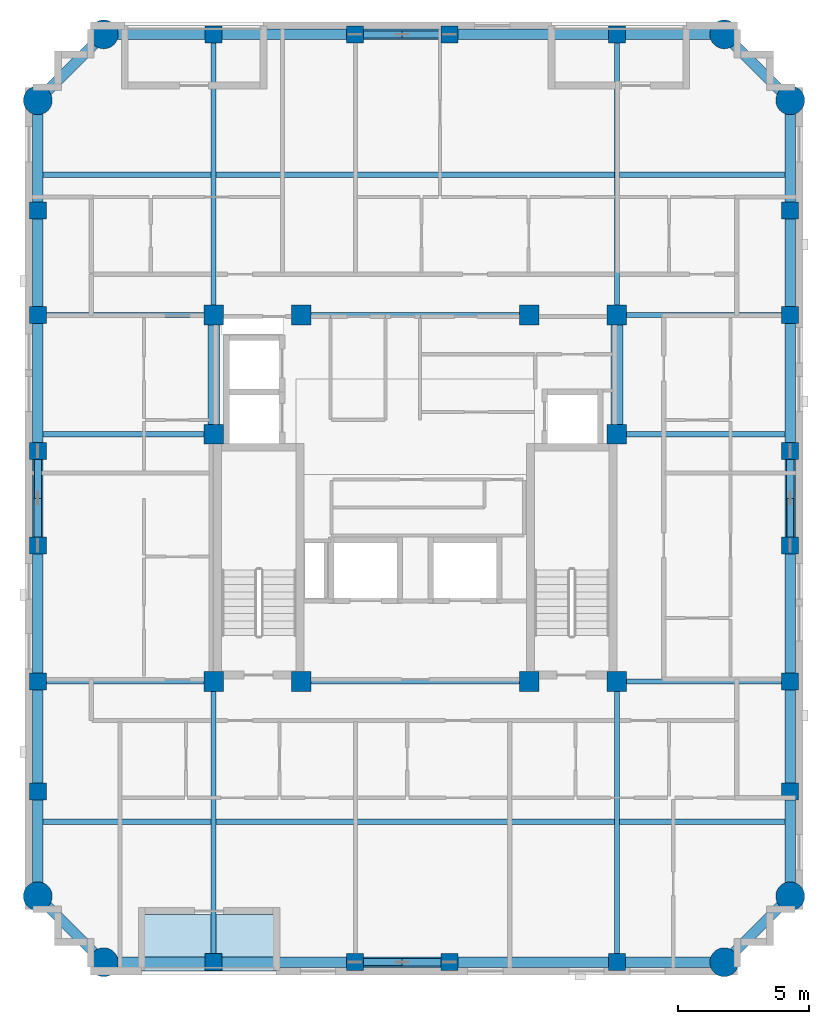
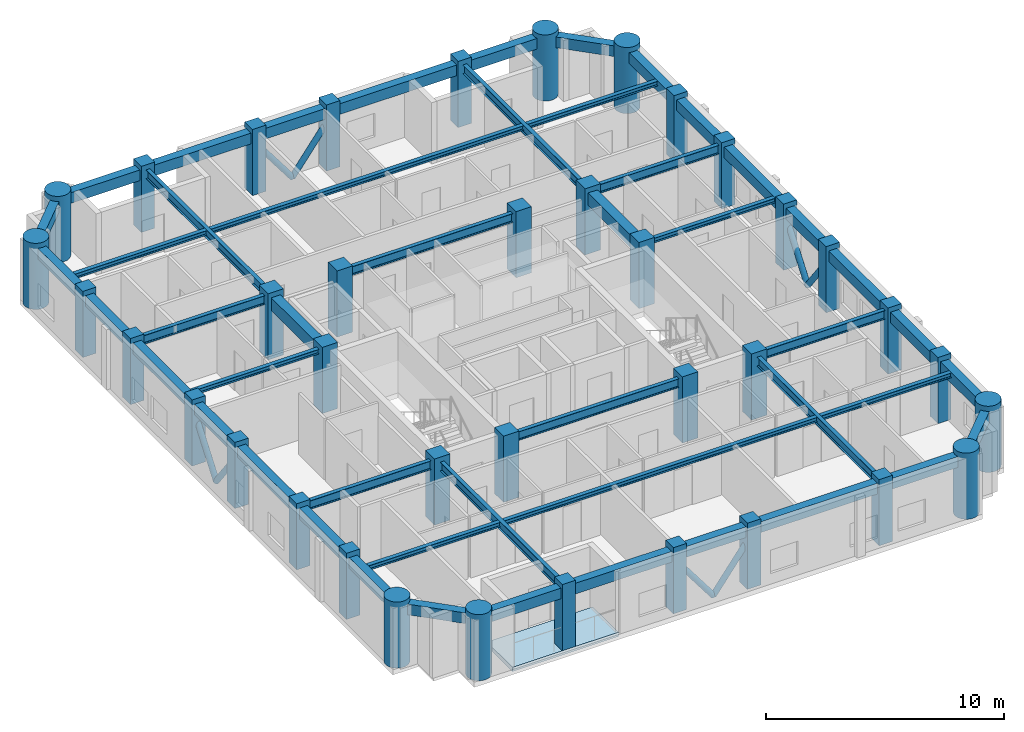
# One storey, part 1 of 10: 48 beams, 38 columns, 8 members, 1 slab.
"""IFC4 building model written with IfcOpenShell, lengths in metres."""

from ifc_helpers import new_model, si_unit, derived_unit, direction, frame, origin, origin_2d, place, context, subcontext, project, spatial, polyline, rectangle, circle, hollow_circle, i_section, outline, extrude, material, layer, layer_set, material_profile, profile_set, type_object, element, save


model = new_model("IFC4")

# Units and contexts
model_context = context("Model", 3, precision=1e-05, world=origin(), true_north=direction((0.0, 1.0)))
body_context = subcontext(model_context, "Body", "Model", "MODEL_VIEW")
ifc_project = project(units=[si_unit("LENGTHUNIT", "METRE"), si_unit("AREAUNIT", "SQUARE_METRE"), si_unit("VOLUMEUNIT", "CUBIC_METRE"), si_unit("PLANEANGLEUNIT", "RADIAN"), si_unit("MASSUNIT", "GRAM", prefix="KILO"), derived_unit("THERMALTRANSMITTANCEUNIT", [(si_unit("MASSUNIT", "GRAM", prefix="KILO"), 1), (si_unit("TIMEUNIT", "SECOND"), -3), (si_unit("THERMODYNAMICTEMPERATUREUNIT", "KELVIN"), -1)])], contexts=[model_context])

# Site, building, storey
site_placement = place(None, origin())
site = spatial("IfcSite", under=ifc_project, at=site_placement, CompositionType="ELEMENT")
building_placement = place(site_placement, origin())
building = spatial("IfcBuilding", under=site, at=building_placement, Name="Korrvale Station Residences", CompositionType="ELEMENT")
storey_placement = place(building_placement, frame((0.0, 0.0, 237.699951171875)))
storey = spatial("IfcBuildingStorey", under=building, at=storey_placement, Name="L69", CompositionType="ELEMENT", Elevation=237.699951171875)

# Columns
ifc_material_1 = material(Name="Concrete C50/60", Category="concrete")
ifc_material_profile_1 = material_profile(ifc_material_1, rectangle(XDim=0.64990234375, YDim=0.64990234375, at=origin_2d()), Name="RC650x650")
ifc_profile_set_1 = profile_set([ifc_material_profile_1], Name="Concrete C50/60")
column_type_1 = type_object("IfcColumnType", Name="COL-C-RC650x650-C5060", PredefinedType="COLUMN", material=ifc_profile_set_1)
for number, where, z_axis, x_axis, name in (
    (1, (17.800048828125, 4.280029296875, 0.0), (0.0, 0.0, 1.0), (1.0, 0.0, 0.0), "L69 Bundled-Tube South Column 02"),
    (2, (23.199951171875, 4.280029296875, 0.0), (0.0, 0.0, 1.0), (1.0, 0.0, 0.0), "L69 Bundled-Tube South Column 03"),
    (3, (26.800048828125, 4.280029296875, 0.0), (0.0, 0.0, 1.0), (1.0, 0.0, 0.0), "L69 Bundled-Tube South Column 04"),
    (4, (33.199951171875, 4.280029296875, 0.0), (0.0, 0.0, 1.0), (1.0, 0.0, 0.0), "L69 Bundled-Tube South Column 05"),
    (5, (17.800048828125, 39.719970703125, 0.0), (0.0, 0.0, 1.0), (1.0, 0.0, 0.0), "L69 Bundled-Tube North Column 08"),
    (6, (23.199951171875, 39.719970703125, 0.0), (0.0, 0.0, 1.0), (1.0, 0.0, 0.0), "L69 Bundled-Tube North Column 09"),
    (7, (26.800048828125, 39.719970703125, 0.0), (0.0, 0.0, 1.0), (1.0, 0.0, 0.0), "L69 Bundled-Tube North Column 10"),
    (8, (33.199951171875, 39.719970703125, 0.0), (0.0, 0.0, 1.0), (1.0, 0.0, 0.0), "L69 Bundled-Tube North Column 11"),
    (9, (11.080078125, 10.800048828125, 0.0), (0.0, 0.0, 1.0), (1.0, 0.0, 0.0), "L69 Bundled-Tube West Column 14"),
    (10, (11.080078125, 15.0, 0.0), (0.0, 0.0, 1.0), (1.0, 0.0, 0.0), "L69 Bundled-Tube West Column 15"),
    (11, (11.080078125, 20.199951171875, 0.0), (0.0, 0.0, 1.0), (1.0, 0.0, 0.0), "L69 Bundled-Tube West Column 16"),
    (12, (11.080078125, 23.800048828125, 0.0), (0.0, 0.0, 1.0), (1.0, 0.0, 0.0), "L69 Bundled-Tube West Column 17"),
    (13, (11.080078125, 29.0, 0.0), (0.0, 0.0, 1.0), (1.0, 0.0, 0.0), "L69 Bundled-Tube West Column 18"),
    (14, (11.080078125, 33.0, 0.0), (0.0, 0.0, 1.0), (1.0, 0.0, 0.0), "L69 Bundled-Tube West Column 19"),
    (15, (39.820068359375, 10.800048828125, 0.0), (0.0, 0.0, 1.0), (1.0, 0.0, 0.0), "L69 Bundled-Tube East Column 22"),
    (16, (39.820068359375, 15.0, 0.0), (0.0, 0.0, 1.0), (1.0, 0.0, 0.0), "L69 Bundled-Tube East Column 23"),
    (17, (39.820068359375, 20.199951171875, 0.0), (0.0, 0.0, 1.0), (1.0, 0.0, 0.0), "L69 Bundled-Tube East Column 24"),
    (18, (39.820068359375, 23.800048828125, 0.0), (0.0, 0.0, 1.0), (1.0, 0.0, 0.0), "L69 Bundled-Tube East Column 25"),
    (19, (39.820068359375, 29.0, 0.0), (0.0, 0.0, 1.0), (1.0, 0.0, 0.0), "L69 Bundled-Tube East Column 26"),
    (20, (39.820068359375, 33.0, 0.0), (0.0, 0.0, 1.0), (1.0, 0.0, 0.0), "L69 Bundled-Tube East Column 27"),
):
    element("IfcColumn", number, at=place(storey_placement, frame(where, z_axis=z_axis, x_axis=x_axis)), inside=storey, type_object=column_type_1, Name=name, PredefinedType="COLUMN", context=body_context, shape_type="SweptSolid", body=[
        extrude(rectangle(XDim=0.64990234375, YDim=0.64990234375, at=origin_2d()), origin(), (0.0, 0.0, 1.0), 3.400146484375),
    ])
ifc_material_profile_2 = material_profile(ifc_material_1, rectangle(XDim=0.75, YDim=0.75, at=origin_2d()), Name="RC750x750")
ifc_profile_set_2 = profile_set([ifc_material_profile_2], Name="Concrete C50/60")
column_type_2 = type_object("IfcColumnType", Name="COL-C-RC750x750-C5060", PredefinedType="COLUMN", material=ifc_profile_set_2)
for number, where, z_axis, x_axis, name in (
    (21, (17.800048828125, 15.0, 0.0), (0.0, 0.0, 1.0), (1.0, 0.0, 0.0), "L69 Core Column 01"),
    (22, (21.14990234375, 15.0, 0.0), (0.0, 0.0, 1.0), (1.0, 0.0, 0.0), "L69 Core Column 02"),
    (23, (29.85009765625, 15.0, 0.0), (0.0, 0.0, 1.0), (1.0, 0.0, 0.0), "L69 Core Column 03"),
    (24, (33.199951171875, 15.0, 0.0), (0.0, 0.0, 1.0), (1.0, 0.0, 0.0), "L69 Core Column 04"),
    (25, (17.800048828125, 29.0, 0.0), (0.0, 0.0, 1.0), (1.0, 0.0, 0.0), "L69 Core Column 05"),
    (26, (21.14990234375, 29.0, 0.0), (0.0, 0.0, 1.0), (1.0, 0.0, 0.0), "L69 Core Column 06"),
    (27, (29.85009765625, 29.0, 0.0), (0.0, 0.0, 1.0), (1.0, 0.0, 0.0), "L69 Core Column 07"),
    (28, (33.199951171875, 29.0, 0.0), (0.0, 0.0, 1.0), (1.0, 0.0, 0.0), "L69 Core Column 08"),
    (29, (17.800048828125, 24.449951171875, 0.0), (0.0, 0.0, 1.0), (1.0, 0.0, 0.0), "L69 Core Column 09"),
    (30, (33.199951171875, 24.449951171875, 0.0), (0.0, 0.0, 1.0), (1.0, 0.0, 0.0), "L69 Core Column 10"),
):
    element("IfcColumn", number, at=place(storey_placement, frame(where, z_axis=z_axis, x_axis=x_axis)), inside=storey, type_object=column_type_2, Name=name, PredefinedType="COLUMN", context=body_context, shape_type="SweptSolid", body=[
        extrude(rectangle(XDim=0.75, YDim=0.75, at=origin_2d()), origin(), (0.0, 0.0, 1.0), 3.400146484375),
    ])
ifc_material_profile_3 = material_profile(ifc_material_1, circle(Radius=0.550048828125, at=origin_2d()), Name="RCC1100")
ifc_profile_set_3 = profile_set([ifc_material_profile_3], Name="Concrete C50/60")
column_type_3 = type_object("IfcColumnType", Name="COL-C-RCC1100-C5060", PredefinedType="COLUMN", material=ifc_profile_set_3)
for number, where, z_axis, x_axis, name in (
    (31, (13.60009765625, 4.280029296875, 0.0), (0.0, 0.0, 1.0), (1.0, 0.0, 0.0), "L69 Bundled-Tube South Column 01"),
    (32, (37.300048828125, 4.280029296875, 0.0), (0.0, 0.0, 1.0), (1.0, 0.0, 0.0), "L69 Bundled-Tube South Column 06"),
    (33, (13.60009765625, 39.719970703125, 0.0), (0.0, 0.0, 1.0), (1.0, 0.0, 0.0), "L69 Bundled-Tube North Column 07"),
    (34, (37.300048828125, 39.719970703125, 0.0), (0.0, 0.0, 1.0), (1.0, 0.0, 0.0), "L69 Bundled-Tube North Column 12"),
    (35, (11.080078125, 6.800048828125, 0.0), (0.0, 0.0, 1.0), (1.0, 0.0, 0.0), "L69 Bundled-Tube West Column 13"),
    (36, (11.080078125, 37.199951171875, 0.0), (0.0, 0.0, 1.0), (1.0, 0.0, 0.0), "L69 Bundled-Tube West Column 20"),
    (37, (39.820068359375, 6.800048828125, 0.0), (0.0, 0.0, 1.0), (1.0, 0.0, 0.0), "L69 Bundled-Tube East Column 21"),
    (38, (39.820068359375, 37.199951171875, 0.0), (0.0, 0.0, 1.0), (1.0, 0.0, 0.0), "L69 Bundled-Tube East Column 28"),
):
    element("IfcColumn", number, at=place(storey_placement, frame(where, z_axis=z_axis, x_axis=x_axis)), inside=storey, type_object=column_type_3, Name=name, PredefinedType="COLUMN", context=body_context, shape_type="SweptSolid", body=[
        extrude(circle(Radius=0.550048828125, at=origin_2d()), origin(), (0.0, 0.0, 1.0), 3.400146484375),
    ])

# Beams
ifc_material_2 = material(Name="Steel S355", Category="steel")
ifc_material_profile_4 = material_profile(ifc_material_2, i_section(OverallWidth=0.18994140625, OverallDepth=0.45703125, WebThickness=0.009033203125, FlangeThickness=0.014404296875, FilletRadius=0.01611328125, at=origin_2d()), Name="W460x74")
ifc_profile_set_4 = profile_set([ifc_material_profile_4], Name="Steel S355")
beam_type_1 = type_object("IfcBeamType", Name="BM-BM-W460x74-S355", PredefinedType="BEAM", material=ifc_profile_set_4)
for number, where, z_axis, x_axis, name in (
    (39, (17.800048828125, 4.280029296875, 2.91162109375), (0.0, 1.0, 0.0), (-1.0, 0.0, 0.0), "L69 Bundled-Tube Web Girder 01"),
    (40, (33.199951171875, 4.280029296875, 2.91162109375), (0.0, 1.0, 0.0), (-1.0, 0.0, 0.0), "L69 Bundled-Tube Web Girder 02"),
    (41, (17.800048828125, 29.0, 2.91162109375), (0.0, 1.0, 0.0), (-1.0, 0.0, 0.0), "L69 Bundled-Tube Web Girder 03"),
    (42, (33.199951171875, 29.0, 2.91162109375), (0.0, 1.0, 0.0), (-1.0, 0.0, 0.0), "L69 Bundled-Tube Web Girder 04"),
):
    element("IfcBeam", number, at=place(storey_placement, frame(where, z_axis=z_axis, x_axis=x_axis)), inside=storey, type_object=beam_type_1, Name=name, PredefinedType="BEAM", context=body_context, shape_type="SweptSolid", body=[
        extrude(i_section(OverallWidth=0.18994140625, OverallDepth=0.45703125, WebThickness=0.009033203125, FlangeThickness=0.014404296875, FilletRadius=0.01611328125, at=origin_2d()), origin(), (0.0, 0.0, 1.0), 10.719970703125),
    ])
beam_1_placement = place(storey_placement, frame((11.080078125, 15.0, 2.91162109375), z_axis=(1.0, 0.0, 0.0), x_axis=(0.0, 1.0, 0.0)))
element("IfcBeam", 43, at=beam_1_placement, inside=storey, type_object=beam_type_1, Name="L69 Bundled-Tube Web Girder 05", PredefinedType="BEAM", context=body_context, shape_type="SweptSolid", body=[
    extrude(i_section(OverallWidth=0.18994140625, OverallDepth=0.45703125, WebThickness=0.009033203125, FlangeThickness=0.014404296875, FilletRadius=0.01611328125, at=origin_2d()), origin(), (0.0, 0.0, 1.0), 6.719970703125),
])
beam_2_placement = place(storey_placement, frame((33.199951171875, 15.0, 2.91162109375), z_axis=(1.0, 0.0, 0.0), x_axis=(0.0, 1.0, 0.0)))
element("IfcBeam", 44, at=beam_2_placement, inside=storey, type_object=beam_type_1, Name="L69 Bundled-Tube Web Girder 06", PredefinedType="BEAM", context=body_context, shape_type="SweptSolid", body=[
    extrude(i_section(OverallWidth=0.18994140625, OverallDepth=0.45703125, WebThickness=0.009033203125, FlangeThickness=0.014404296875, FilletRadius=0.01611328125, at=origin_2d()), origin(), (0.0, 0.0, 1.0), 6.6201171875),
])
beam_3_placement = place(storey_placement, frame((11.080078125, 29.0, 2.91162109375), z_axis=(1.0, 0.0, 0.0), x_axis=(0.0, 1.0, 0.0)))
element("IfcBeam", 45, at=beam_3_placement, inside=storey, type_object=beam_type_1, Name="L69 Bundled-Tube Web Girder 07", PredefinedType="BEAM", context=body_context, shape_type="SweptSolid", body=[
    extrude(i_section(OverallWidth=0.18994140625, OverallDepth=0.45703125, WebThickness=0.009033203125, FlangeThickness=0.014404296875, FilletRadius=0.01611328125, at=origin_2d()), origin(), (0.0, 0.0, 1.0), 6.719970703125),
])
beam_4_placement = place(storey_placement, frame((33.199951171875, 29.0, 2.91162109375), z_axis=(1.0, 0.0, 0.0), x_axis=(0.0, 1.0, 0.0)))
element("IfcBeam", 46, at=beam_4_placement, inside=storey, type_object=beam_type_1, Name="L69 Bundled-Tube Web Girder 08", PredefinedType="BEAM", context=body_context, shape_type="SweptSolid", body=[
    extrude(i_section(OverallWidth=0.18994140625, OverallDepth=0.45703125, WebThickness=0.009033203125, FlangeThickness=0.014404296875, FilletRadius=0.01611328125, at=origin_2d()), origin(), (0.0, 0.0, 1.0), 6.6201171875),
])
for number, where, z_axis, x_axis, name in (
    (47, (21.14990234375, 15.0, 2.91162109375), (1.0, 0.0, 0.0), (0.0, 1.0, 0.0), "L69 Bundled-Tube Web Girder 09"),
    (48, (21.14990234375, 29.0, 2.91162109375), (1.0, 0.0, 0.0), (0.0, 1.0, 0.0), "L69 Bundled-Tube Web Girder 10"),
):
    element("IfcBeam", number, at=place(storey_placement, frame(where, z_axis=z_axis, x_axis=x_axis)), inside=storey, type_object=beam_type_1, Name=name, PredefinedType="BEAM", context=body_context, shape_type="SweptSolid", body=[
        extrude(i_section(OverallWidth=0.18994140625, OverallDepth=0.45703125, WebThickness=0.009033203125, FlangeThickness=0.014404296875, FilletRadius=0.01611328125, at=origin_2d()), origin(), (0.0, 0.0, 1.0), 8.7001953125),
    ])
ifc_material_profile_5 = material_profile(ifc_material_2, i_section(OverallWidth=0.201904296875, OverallDepth=0.2470703125, WebThickness=0.00732421875, FlangeThickness=0.010986328125, FilletRadius=0.012939453125, at=origin_2d()), Name="W250x49")
ifc_profile_set_5 = profile_set([ifc_material_profile_5], Name="Steel S355")
beam_type_2 = type_object("IfcBeamType", Name="BM-JST-W250x49-S355", PredefinedType="JOIST", material=ifc_profile_set_5)
beam_5_placement = place(storey_placement, frame((11.280029296875, 9.639892578125, 3.0166015625), z_axis=(1.0, 0.0, 0.0), x_axis=(0.0, 1.0, 0.0)))
element("IfcBeam", 49, at=beam_5_placement, inside=storey, type_object=beam_type_2, Name="L69 Floor Framing Joist 01", PredefinedType="JOIST", context=body_context, shape_type="SweptSolid", body=[
    extrude(i_section(OverallWidth=0.201904296875, OverallDepth=0.2470703125, WebThickness=0.00732421875, FlangeThickness=0.010986328125, FilletRadius=0.012939453125, at=origin_2d()), origin(), (0.0, 0.0, 1.0), 6.425048828125),
])
beam_6_placement = place(storey_placement, frame((17.89501953125, 9.639892578125, 3.0166015625), z_axis=(1.0, 0.0, 0.0), x_axis=(0.0, 1.0, 0.0)))
element("IfcBeam", 50, at=beam_6_placement, inside=storey, type_object=beam_type_2, Name="L69 Floor Framing Joist 02", PredefinedType="JOIST", context=body_context, shape_type="SweptSolid", body=[
    extrude(i_section(OverallWidth=0.201904296875, OverallDepth=0.2470703125, WebThickness=0.00732421875, FlangeThickness=0.010986328125, FilletRadius=0.012939453125, at=origin_2d()), origin(), (0.0, 0.0, 1.0), 15.2099609375),
])
beam_7_placement = place(storey_placement, frame((33.294921875, 9.639892578125, 3.0166015625), z_axis=(1.0, 0.0, 0.0), x_axis=(0.0, 1.0, 0.0)))
element("IfcBeam", 51, at=beam_7_placement, inside=storey, type_object=beam_type_2, Name="L69 Floor Framing Joist 03", PredefinedType="JOIST", context=body_context, shape_type="SweptSolid", body=[
    extrude(i_section(OverallWidth=0.201904296875, OverallDepth=0.2470703125, WebThickness=0.00732421875, FlangeThickness=0.010986328125, FilletRadius=0.012939453125, at=origin_2d()), origin(), (0.0, 0.0, 1.0), 6.3251953125),
])
beam_8_placement = place(storey_placement, frame((11.280029296875, 34.360107421875, 3.0166015625), z_axis=(1.0, 0.0, 0.0), x_axis=(0.0, 1.0, 0.0)))
element("IfcBeam", 52, at=beam_8_placement, inside=storey, type_object=beam_type_2, Name="L69 Floor Framing Joist 04", PredefinedType="JOIST", context=body_context, shape_type="SweptSolid", body=[
    extrude(i_section(OverallWidth=0.201904296875, OverallDepth=0.2470703125, WebThickness=0.00732421875, FlangeThickness=0.010986328125, FilletRadius=0.012939453125, at=origin_2d()), origin(), (0.0, 0.0, 1.0), 6.425048828125),
])
beam_9_placement = place(storey_placement, frame((17.89501953125, 34.360107421875, 3.0166015625), z_axis=(1.0, 0.0, 0.0), x_axis=(0.0, 1.0, 0.0)))
element("IfcBeam", 53, at=beam_9_placement, inside=storey, type_object=beam_type_2, Name="L69 Floor Framing Joist 05", PredefinedType="JOIST", context=body_context, shape_type="SweptSolid", body=[
    extrude(i_section(OverallWidth=0.201904296875, OverallDepth=0.2470703125, WebThickness=0.00732421875, FlangeThickness=0.010986328125, FilletRadius=0.012939453125, at=origin_2d()), origin(), (0.0, 0.0, 1.0), 15.2099609375),
])
beam_10_placement = place(storey_placement, frame((33.294921875, 34.360107421875, 3.0166015625), z_axis=(1.0, 0.0, 0.0), x_axis=(0.0, 1.0, 0.0)))
element("IfcBeam", 54, at=beam_10_placement, inside=storey, type_object=beam_type_2, Name="L69 Floor Framing Joist 06", PredefinedType="JOIST", context=body_context, shape_type="SweptSolid", body=[
    extrude(i_section(OverallWidth=0.201904296875, OverallDepth=0.2470703125, WebThickness=0.00732421875, FlangeThickness=0.010986328125, FilletRadius=0.012939453125, at=origin_2d()), origin(), (0.0, 0.0, 1.0), 6.3251953125),
])
beam_11_placement = place(storey_placement, frame((33.425048828125, 24.449951171875, 3.0166015625), z_axis=(1.0, 0.0, 0.0), x_axis=(0.0, 1.0, 0.0)))
element("IfcBeam", 55, at=beam_11_placement, inside=storey, type_object=beam_type_2, Name="L69 Floor Framing Joist 07", PredefinedType="JOIST", context=body_context, shape_type="SweptSolid", body=[
    extrude(i_section(OverallWidth=0.201904296875, OverallDepth=0.2470703125, WebThickness=0.00732421875, FlangeThickness=0.010986328125, FilletRadius=0.012939453125, at=origin_2d()), origin(), (0.0, 0.0, 1.0), 6.195068359375),
])
beam_12_placement = place(storey_placement, frame((11.280029296875, 24.449951171875, 3.0166015625), z_axis=(1.0, 0.0, 0.0), x_axis=(0.0, 1.0, 0.0)))
element("IfcBeam", 56, at=beam_12_placement, inside=storey, type_object=beam_type_2, Name="L69 Floor Framing Joist 08", PredefinedType="JOIST", context=body_context, shape_type="SweptSolid", body=[
    extrude(i_section(OverallWidth=0.201904296875, OverallDepth=0.2470703125, WebThickness=0.00732421875, FlangeThickness=0.010986328125, FilletRadius=0.012939453125, at=origin_2d()), origin(), (0.0, 0.0, 1.0), 6.294921875),
])
ifc_material_profile_6 = material_profile(ifc_material_1, rectangle(XDim=0.449951171875, YDim=0.64990234375, at=origin_2d()), Name="RCB450x650")
ifc_profile_set_6 = profile_set([ifc_material_profile_6], Name="Concrete C50/60")
beam_type_3 = type_object("IfcBeamType", Name="BM-LNT-RCB450x650-C5060", PredefinedType="LINTEL", material=ifc_profile_set_6)
for number, where, z_axis, x_axis, name in (
    (57, (17.800048828125, 24.449951171875, 2.81494140625), (0.0, 1.0, 0.0), (-1.0, 0.0, 0.0), "L69 Core Coupling Lintel 1"),
    (58, (33.199951171875, 24.449951171875, 2.81494140625), (0.0, 1.0, 0.0), (-1.0, 0.0, 0.0), "L69 Core Coupling Lintel 2"),
):
    element("IfcBeam", number, at=place(storey_placement, frame(where, z_axis=z_axis, x_axis=x_axis)), inside=storey, type_object=beam_type_3, Name=name, PredefinedType="LINTEL", context=body_context, shape_type="SweptSolid", body=[
        extrude(rectangle(XDim=0.449951171875, YDim=0.64990234375, at=origin_2d()), origin(), (0.0, 0.0, 1.0), 4.550048828125),
    ])
ifc_material_profile_7 = material_profile(ifc_material_1, rectangle(XDim=0.39990234375, YDim=0.550048828125, at=origin_2d()), Name="RCB400x550")
ifc_profile_set_7 = profile_set([ifc_material_profile_7], Name="Concrete C50/60")
beam_type_4 = type_object("IfcBeamType", Name="BM-SPB-RCB400x550-C5060", PredefinedType="SPANDREL", material=ifc_profile_set_7)
beam_13_placement = place(storey_placement, frame((13.60009765625, 4.280029296875, 2.864990234375), z_axis=(1.0, 0.0, 0.0), x_axis=(0.0, 1.0, 0.0)))
element("IfcBeam", 59, at=beam_13_placement, inside=storey, type_object=beam_type_4, Name="L69 South Tube Spandrel 01", PredefinedType="SPANDREL", context=body_context, shape_type="SweptSolid", body=[
    extrude(rectangle(XDim=0.39990234375, YDim=0.550048828125, at=origin_2d()), origin(), (0.0, 0.0, 1.0), 4.199951171875),
])
beam_14_placement = place(storey_placement, frame((17.800048828125, 4.280029296875, 2.864990234375), z_axis=(1.0, 0.0, 0.0), x_axis=(0.0, 1.0, 0.0)))
element("IfcBeam", 60, at=beam_14_placement, inside=storey, type_object=beam_type_4, Name="L69 South Tube Spandrel 02", PredefinedType="SPANDREL", context=body_context, shape_type="SweptSolid", body=[
    extrude(rectangle(XDim=0.39990234375, YDim=0.550048828125, at=origin_2d()), origin(), (0.0, 0.0, 1.0), 5.39990234375),
])
beam_15_placement = place(storey_placement, frame((23.199951171875, 4.280029296875, 2.864990234375), z_axis=(1.0, 0.0, 0.0), x_axis=(0.0, 1.0, 0.0)))
element("IfcBeam", 61, at=beam_15_placement, inside=storey, type_object=beam_type_4, Name="L69 South Tube Spandrel 03", PredefinedType="SPANDREL", context=body_context, shape_type="SweptSolid", body=[
    extrude(rectangle(XDim=0.39990234375, YDim=0.550048828125, at=origin_2d()), origin(), (0.0, 0.0, 1.0), 3.60009765625),
])
beam_16_placement = place(storey_placement, frame((26.800048828125, 4.280029296875, 2.864990234375), z_axis=(1.0, 0.0, 0.0), x_axis=(0.0, 1.0, 0.0)))
element("IfcBeam", 62, at=beam_16_placement, inside=storey, type_object=beam_type_4, Name="L69 South Tube Spandrel 04", PredefinedType="SPANDREL", context=body_context, shape_type="SweptSolid", body=[
    extrude(rectangle(XDim=0.39990234375, YDim=0.550048828125, at=origin_2d()), origin(), (0.0, 0.0, 1.0), 6.39990234375),
])
beam_17_placement = place(storey_placement, frame((33.199951171875, 4.280029296875, 2.864990234375), z_axis=(1.0, 0.0, 0.0), x_axis=(0.0, 1.0, 0.0)))
element("IfcBeam", 63, at=beam_17_placement, inside=storey, type_object=beam_type_4, Name="L69 South Tube Spandrel 05", PredefinedType="SPANDREL", context=body_context, shape_type="SweptSolid", body=[
    extrude(rectangle(XDim=0.39990234375, YDim=0.550048828125, at=origin_2d()), origin(), (0.0, 0.0, 1.0), 4.10009765625),
])
beam_18_placement = place(storey_placement, frame((13.60009765625, 39.719970703125, 2.864990234375), z_axis=(1.0, 0.0, 0.0), x_axis=(0.0, 1.0, 0.0)))
element("IfcBeam", 64, at=beam_18_placement, inside=storey, type_object=beam_type_4, Name="L69 North Tube Spandrel 06", PredefinedType="SPANDREL", context=body_context, shape_type="SweptSolid", body=[
    extrude(rectangle(XDim=0.39990234375, YDim=0.550048828125, at=origin_2d()), origin(), (0.0, 0.0, 1.0), 4.199951171875),
])
beam_19_placement = place(storey_placement, frame((17.800048828125, 39.719970703125, 2.864990234375), z_axis=(1.0, 0.0, 0.0), x_axis=(0.0, 1.0, 0.0)))
element("IfcBeam", 65, at=beam_19_placement, inside=storey, type_object=beam_type_4, Name="L69 North Tube Spandrel 07", PredefinedType="SPANDREL", context=body_context, shape_type="SweptSolid", body=[
    extrude(rectangle(XDim=0.39990234375, YDim=0.550048828125, at=origin_2d()), origin(), (0.0, 0.0, 1.0), 5.39990234375),
])
beam_20_placement = place(storey_placement, frame((23.199951171875, 39.719970703125, 2.864990234375), z_axis=(1.0, 0.0, 0.0), x_axis=(0.0, 1.0, 0.0)))
element("IfcBeam", 66, at=beam_20_placement, inside=storey, type_object=beam_type_4, Name="L69 North Tube Spandrel 08", PredefinedType="SPANDREL", context=body_context, shape_type="SweptSolid", body=[
    extrude(rectangle(XDim=0.39990234375, YDim=0.550048828125, at=origin_2d()), origin(), (0.0, 0.0, 1.0), 3.60009765625),
])
beam_21_placement = place(storey_placement, frame((26.800048828125, 39.719970703125, 2.864990234375), z_axis=(1.0, 0.0, 0.0), x_axis=(0.0, 1.0, 0.0)))
element("IfcBeam", 67, at=beam_21_placement, inside=storey, type_object=beam_type_4, Name="L69 North Tube Spandrel 09", PredefinedType="SPANDREL", context=body_context, shape_type="SweptSolid", body=[
    extrude(rectangle(XDim=0.39990234375, YDim=0.550048828125, at=origin_2d()), origin(), (0.0, 0.0, 1.0), 6.39990234375),
])
beam_22_placement = place(storey_placement, frame((33.199951171875, 39.719970703125, 2.864990234375), z_axis=(1.0, 0.0, 0.0), x_axis=(0.0, 1.0, 0.0)))
element("IfcBeam", 68, at=beam_22_placement, inside=storey, type_object=beam_type_4, Name="L69 North Tube Spandrel 10", PredefinedType="SPANDREL", context=body_context, shape_type="SweptSolid", body=[
    extrude(rectangle(XDim=0.39990234375, YDim=0.550048828125, at=origin_2d()), origin(), (0.0, 0.0, 1.0), 4.10009765625),
])
beam_23_placement = place(storey_placement, frame((11.080078125, 6.800048828125, 2.864990234375), z_axis=(0.0, 1.0, 0.0), x_axis=(-1.0, 0.0, 0.0)))
element("IfcBeam", 69, at=beam_23_placement, inside=storey, type_object=beam_type_4, Name="L69 West Tube Spandrel 11", PredefinedType="SPANDREL", context=body_context, shape_type="SweptSolid", body=[
    extrude(rectangle(XDim=0.39990234375, YDim=0.550048828125, at=origin_2d()), origin(), (0.0, 0.0, 1.0), 4.0),
])
beam_24_placement = place(storey_placement, frame((11.080078125, 10.800048828125, 2.864990234375), z_axis=(0.0, 1.0, 0.0), x_axis=(-1.0, 0.0, 0.0)))
element("IfcBeam", 70, at=beam_24_placement, inside=storey, type_object=beam_type_4, Name="L69 West Tube Spandrel 12", PredefinedType="SPANDREL", context=body_context, shape_type="SweptSolid", body=[
    extrude(rectangle(XDim=0.39990234375, YDim=0.550048828125, at=origin_2d()), origin(), (0.0, 0.0, 1.0), 4.199951171875),
])
beam_25_placement = place(storey_placement, frame((11.080078125, 15.0, 2.864990234375), z_axis=(0.0, 1.0, 0.0), x_axis=(-1.0, 0.0, 0.0)))
element("IfcBeam", 71, at=beam_25_placement, inside=storey, type_object=beam_type_4, Name="L69 West Tube Spandrel 13", PredefinedType="SPANDREL", context=body_context, shape_type="SweptSolid", body=[
    extrude(rectangle(XDim=0.39990234375, YDim=0.550048828125, at=origin_2d()), origin(), (0.0, 0.0, 1.0), 5.199951171875),
])
beam_26_placement = place(storey_placement, frame((11.080078125, 20.199951171875, 2.864990234375), z_axis=(0.0, 1.0, 0.0), x_axis=(-1.0, 0.0, 0.0)))
element("IfcBeam", 72, at=beam_26_placement, inside=storey, type_object=beam_type_4, Name="L69 West Tube Spandrel 14", PredefinedType="SPANDREL", context=body_context, shape_type="SweptSolid", body=[
    extrude(rectangle(XDim=0.39990234375, YDim=0.550048828125, at=origin_2d()), origin(), (0.0, 0.0, 1.0), 3.60009765625),
])
beam_27_placement = place(storey_placement, frame((11.080078125, 23.800048828125, 2.864990234375), z_axis=(0.0, 1.0, 0.0), x_axis=(-1.0, 0.0, 0.0)))
element("IfcBeam", 73, at=beam_27_placement, inside=storey, type_object=beam_type_4, Name="L69 West Tube Spandrel 15", PredefinedType="SPANDREL", context=body_context, shape_type="SweptSolid", body=[
    extrude(rectangle(XDim=0.39990234375, YDim=0.550048828125, at=origin_2d()), origin(), (0.0, 0.0, 1.0), 5.199951171875),
])
beam_28_placement = place(storey_placement, frame((11.080078125, 29.0, 2.864990234375), z_axis=(0.0, 1.0, 0.0), x_axis=(-1.0, 0.0, 0.0)))
element("IfcBeam", 74, at=beam_28_placement, inside=storey, type_object=beam_type_4, Name="L69 West Tube Spandrel 16", PredefinedType="SPANDREL", context=body_context, shape_type="SweptSolid", body=[
    extrude(rectangle(XDim=0.39990234375, YDim=0.550048828125, at=origin_2d()), origin(), (0.0, 0.0, 1.0), 4.0),
])
beam_29_placement = place(storey_placement, frame((11.080078125, 33.0, 2.864990234375), z_axis=(0.0, 1.0, 0.0), x_axis=(-1.0, 0.0, 0.0)))
element("IfcBeam", 75, at=beam_29_placement, inside=storey, type_object=beam_type_4, Name="L69 West Tube Spandrel 17", PredefinedType="SPANDREL", context=body_context, shape_type="SweptSolid", body=[
    extrude(rectangle(XDim=0.39990234375, YDim=0.550048828125, at=origin_2d()), origin(), (0.0, 0.0, 1.0), 4.199951171875),
])
beam_30_placement = place(storey_placement, frame((39.820068359375, 6.800048828125, 2.864990234375), z_axis=(0.0, 1.0, 0.0), x_axis=(-1.0, 0.0, 0.0)))
element("IfcBeam", 76, at=beam_30_placement, inside=storey, type_object=beam_type_4, Name="L69 East Tube Spandrel 18", PredefinedType="SPANDREL", context=body_context, shape_type="SweptSolid", body=[
    extrude(rectangle(XDim=0.39990234375, YDim=0.550048828125, at=origin_2d()), origin(), (0.0, 0.0, 1.0), 4.0),
])
beam_31_placement = place(storey_placement, frame((39.820068359375, 10.800048828125, 2.864990234375), z_axis=(0.0, 1.0, 0.0), x_axis=(-1.0, 0.0, 0.0)))
element("IfcBeam", 77, at=beam_31_placement, inside=storey, type_object=beam_type_4, Name="L69 East Tube Spandrel 19", PredefinedType="SPANDREL", context=body_context, shape_type="SweptSolid", body=[
    extrude(rectangle(XDim=0.39990234375, YDim=0.550048828125, at=origin_2d()), origin(), (0.0, 0.0, 1.0), 4.199951171875),
])
beam_32_placement = place(storey_placement, frame((39.820068359375, 15.0, 2.864990234375), z_axis=(0.0, 1.0, 0.0), x_axis=(-1.0, 0.0, 0.0)))
element("IfcBeam", 78, at=beam_32_placement, inside=storey, type_object=beam_type_4, Name="L69 East Tube Spandrel 20", PredefinedType="SPANDREL", context=body_context, shape_type="SweptSolid", body=[
    extrude(rectangle(XDim=0.39990234375, YDim=0.550048828125, at=origin_2d()), origin(), (0.0, 0.0, 1.0), 5.199951171875),
])
beam_33_placement = place(storey_placement, frame((39.820068359375, 20.199951171875, 2.864990234375), z_axis=(0.0, 1.0, 0.0), x_axis=(-1.0, 0.0, 0.0)))
element("IfcBeam", 79, at=beam_33_placement, inside=storey, type_object=beam_type_4, Name="L69 East Tube Spandrel 21", PredefinedType="SPANDREL", context=body_context, shape_type="SweptSolid", body=[
    extrude(rectangle(XDim=0.39990234375, YDim=0.550048828125, at=origin_2d()), origin(), (0.0, 0.0, 1.0), 3.60009765625),
])
beam_34_placement = place(storey_placement, frame((39.820068359375, 23.800048828125, 2.864990234375), z_axis=(0.0, 1.0, 0.0), x_axis=(-1.0, 0.0, 0.0)))
element("IfcBeam", 80, at=beam_34_placement, inside=storey, type_object=beam_type_4, Name="L69 East Tube Spandrel 22", PredefinedType="SPANDREL", context=body_context, shape_type="SweptSolid", body=[
    extrude(rectangle(XDim=0.39990234375, YDim=0.550048828125, at=origin_2d()), origin(), (0.0, 0.0, 1.0), 5.199951171875),
])
beam_35_placement = place(storey_placement, frame((39.820068359375, 29.0, 2.864990234375), z_axis=(0.0, 1.0, 0.0), x_axis=(-1.0, 0.0, 0.0)))
element("IfcBeam", 81, at=beam_35_placement, inside=storey, type_object=beam_type_4, Name="L69 East Tube Spandrel 23", PredefinedType="SPANDREL", context=body_context, shape_type="SweptSolid", body=[
    extrude(rectangle(XDim=0.39990234375, YDim=0.550048828125, at=origin_2d()), origin(), (0.0, 0.0, 1.0), 4.0),
])
beam_36_placement = place(storey_placement, frame((39.820068359375, 33.0, 2.864990234375), z_axis=(0.0, 1.0, 0.0), x_axis=(-1.0, 0.0, 0.0)))
element("IfcBeam", 82, at=beam_36_placement, inside=storey, type_object=beam_type_4, Name="L69 East Tube Spandrel 24", PredefinedType="SPANDREL", context=body_context, shape_type="SweptSolid", body=[
    extrude(rectangle(XDim=0.39990234375, YDim=0.550048828125, at=origin_2d()), origin(), (0.0, 0.0, 1.0), 4.199951171875),
])
for number, where, z_axis, x_axis, name in (
    (83, (13.60009765625, 4.280029296875, 2.864990234375), (-0.707106781187, 0.707106781187, 0.0), (-0.707106781187, -0.707106781187, 0.0), "L69 Serrated Corner Spandrel 25"),
    (84, (37.300048828125, 4.280029296875, 2.864990234375), (0.707106781187, 0.707106781187, 0.0), (-0.707106781187, 0.707106781187, 0.0), "L69 Serrated Corner Spandrel 26"),
    (85, (37.300048828125, 39.719970703125, 2.864990234375), (0.707106781187, -0.707106781187, 0.0), (0.707106781187, 0.707106781187, 0.0), "L69 Serrated Corner Spandrel 27"),
    (86, (13.60009765625, 39.719970703125, 2.864990234375), (-0.707106781187, -0.707106781187, 0.0), (0.707106781187, -0.707106781187, 0.0), "L69 Serrated Corner Spandrel 28"),
):
    element("IfcBeam", number, at=place(storey_placement, frame(where, z_axis=z_axis, x_axis=x_axis)), inside=storey, type_object=beam_type_4, Name=name, PredefinedType="SPANDREL", context=body_context, shape_type="SweptSolid", body=[
        extrude(rectangle(XDim=0.39990234375, YDim=0.550048828125, at=origin_2d()), origin(), (0.0, 0.0, 1.0), 3.56396484375),
    ])

# Members
ifc_material_profile_8 = material_profile(ifc_material_2, hollow_circle(Radius=0.136474609375, WallThickness=0.015869140625, at=origin_2d()), Name="HSS273x16")
ifc_profile_set_8 = profile_set([ifc_material_profile_8], Name="Steel S355")
member_type = type_object("IfcMemberType", Name="MBR-BR-HSS273x16", PredefinedType="BRACE", material=ifc_profile_set_8)
for number, where, z_axis, x_axis, name in (
    (87, (25.0, 4.280029296875, 0.02001953125), (-0.601591523035, 0.0, 0.798803880444), (0.0, -1.0, 0.0), "L69 S Perimeter Tube Wind Brace 1"),
    (88, (25.0, 4.280029296875, 0.02001953125), (0.601591523035, 0.0, 0.798803880444), (0.0, 1.0, 0.0), "L69 S Perimeter Tube Wind Brace 2"),
    (89, (25.0, 39.719970703125, 0.02001953125), (-0.601591523035, 0.0, 0.798803880444), (0.0, -1.0, 0.0), "L69 N Perimeter Tube Wind Brace 1"),
    (90, (25.0, 39.719970703125, 0.02001953125), (0.601591523035, 0.0, 0.798803880444), (0.0, 1.0, 0.0), "L69 N Perimeter Tube Wind Brace 2"),
    (91, (11.080078125, 22.0, 0.02001953125), (0.0, -0.601591523035, 0.798803880444), (1.0, 0.0, 0.0), "L69 W Perimeter Tube Wind Brace 1"),
    (92, (11.080078125, 22.0, 0.02001953125), (0.0, 0.601591523035, 0.798803880444), (-1.0, 0.0, 0.0), "L69 W Perimeter Tube Wind Brace 2"),
    (93, (39.820068359375, 22.0, 0.02001953125), (0.0, -0.601591523035, 0.798803880444), (1.0, 0.0, 0.0), "L69 E Perimeter Tube Wind Brace 1"),
    (94, (39.820068359375, 22.0, 0.02001953125), (0.0, 0.601591523035, 0.798803880444), (-1.0, 0.0, 0.0), "L69 E Perimeter Tube Wind Brace 2"),
):
    element("IfcMember", number, at=place(storey_placement, frame(where, z_axis=z_axis, x_axis=x_axis)), inside=storey, type_object=member_type, Name=name, PredefinedType="BRACE", context=body_context, shape_type="SweptSolid", body=[
        extrude(hollow_circle(Radius=0.136474609375, WallThickness=0.015869140625, at=origin_2d()), origin(), (0.0, 0.0, 1.0), 2.9921875),
    ])

# Slab
ifc_layer = layer(ifc_material_1, 0.219970703125, Name="Concrete C50/60")
ifc_layer_set = layer_set([ifc_layer], Name="Concrete C50/60")
slab_type = type_object("IfcSlabType", Name="SLB-BAL-220", PredefinedType="FLOOR", material=ifc_layer_set)
slab_placement = place(storey_placement, frame((0.0, 0.0, -0.219970703125)))
element("IfcSlab", 95, at=slab_placement, inside=storey, type_object=slab_type, Name="L69 Recessed Loggia Balcony Slab BAL-L69-S1", PredefinedType="FLOOR", context=body_context, shape_type="SweptSolid", body=[
    extrude(outline(polyline([(15.050048828125, 3.949951171875), (20.199951171875, 3.949951171875), (20.199951171875, 6.10009765625), (15.050048828125, 6.10009765625), (15.050048828125, 3.949951171875)])), origin(), (0.0, 0.0, 1.0), 0.219970703125),
])

save(model, "model.ifc")
